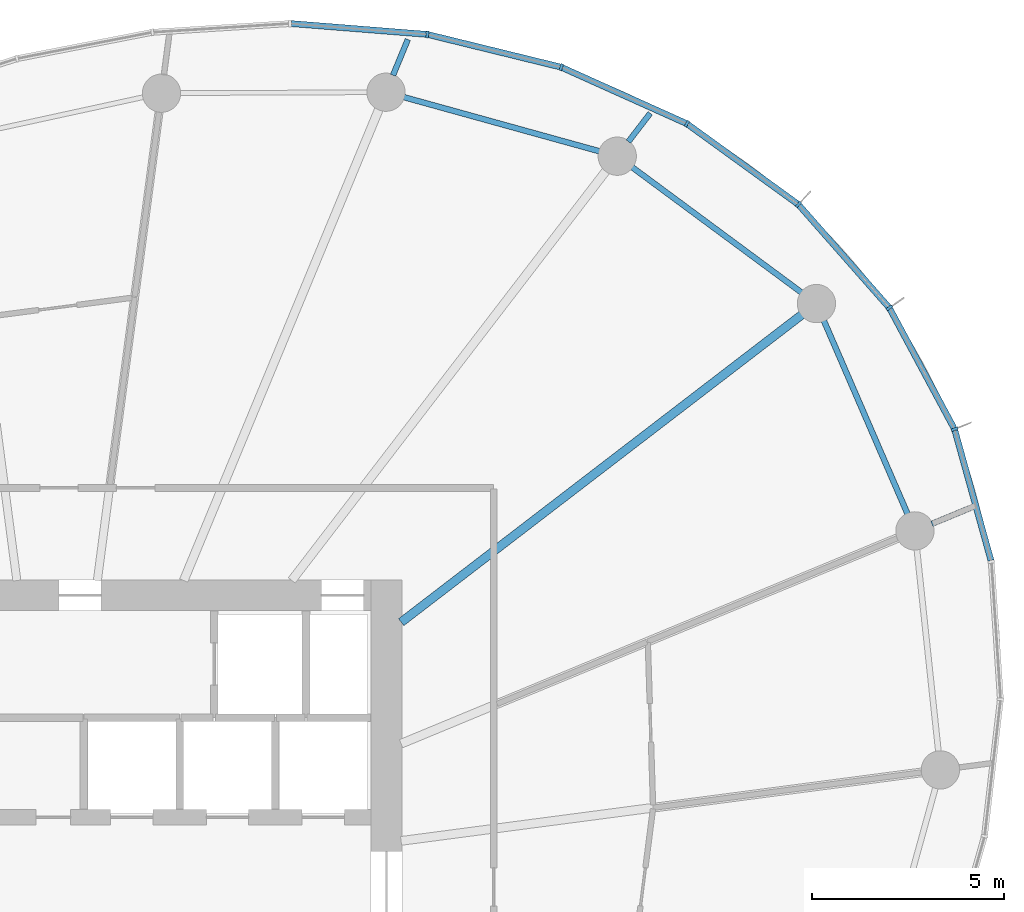
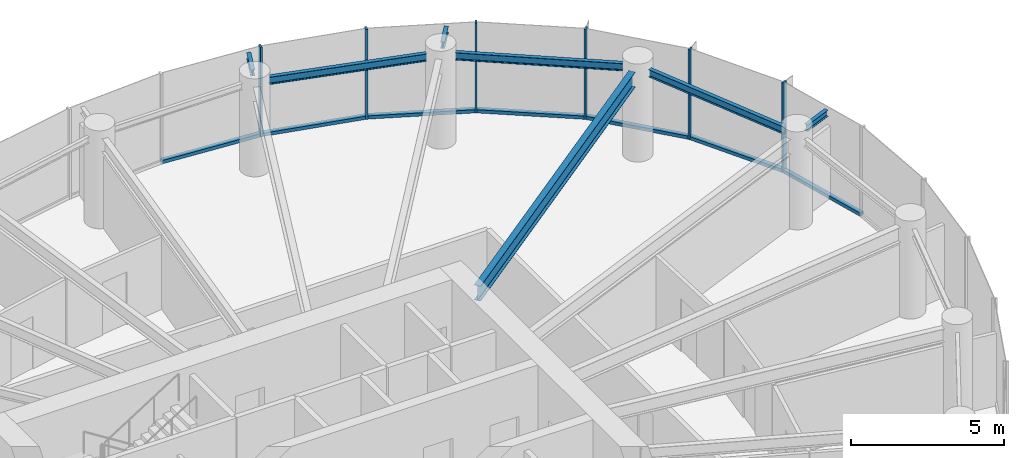
# One storey, part 6 of 14: 13 members, 7 beams, 2 elements without a shape of their own.
"""IFC4 building model written with IfcOpenShell, lengths in metres."""

import ifcopenshell
import ifcopenshell.guid

model = None  # the IFC model being written
_history = None  # IfcOwnerHistory: only IFC2X3 demands one
_inside = {}  # id of a spatial element -> (the spatial element, [elements in it])
_under = {}  # id of a project, library or spatial element -> (it, [spatial elements below it])
_declared = {}  # id of a project -> (the project, [libraries it declares])
_typed = {}  # id of a type object -> (the type object, [elements of that type])
_made_of = {}  # id of a material, layer set ... -> (it, [elements and type objects made of it])


def new_model(schema):
    """Start an empty IFC model of exactly this schema.

    Asked for "IFC4X3", IfcOpenShell would pick the latest addendum, in which some entities
    have other attributes; the version numbers below select the first issue.
    IFC2X3 requires an IfcOwnerHistory on every rooted entity: one is made here for all.
    """
    global model, _history
    if schema == "IFC4X3":
        model = ifcopenshell.file(schema_version=(4, 3, 0, 0))
    else:
        model = ifcopenshell.file(schema=schema)
    _inside.clear()
    _under.clear()
    _declared.clear()
    _typed.clear()
    _made_of.clear()
    _history = None
    if model.schema == "IFC2X3":
        org = make("IfcOrganization", Name="unknown")
        user = make(
            "IfcPersonAndOrganization",
            ThePerson=make("IfcPerson", FamilyName="unknown"),
            TheOrganization=org,
        )
        app = make(
            "IfcApplication",
            ApplicationDeveloper=org,
            Version="unknown",
            ApplicationFullName="unknown",
            ApplicationIdentifier="unknown",
        )
        _history = make(
            "IfcOwnerHistory",
            OwningUser=user,
            OwningApplication=app,
            ChangeAction="ADDED",
            CreationDate=0,
        )
    return model


def make(cls, **values):
    """One entity of the class cls with the attributes given. An attribute that is None is left unset."""
    return model.create_entity(
        cls, **{name: value for name, value in values.items() if value is not None}
    )


def rooted(cls, **values):
    """An entity with a GlobalId (a new one), such as an element, a storey or a relation."""
    return make(cls, GlobalId=ifcopenshell.guid.new(), OwnerHistory=_history, **values)


def si_unit(unit_type, name, prefix=None):
    """IfcSIUnit, for example si_unit("LENGTHUNIT", "METRE", prefix="MILLI")."""
    return make("IfcSIUnit", UnitType=unit_type, Prefix=prefix, Name=name)


def assignment(units):
    """IfcUnitAssignment: the units of a project."""
    return None if units is None else make("IfcUnitAssignment", Units=units)


def point(xyz):
    """IfcCartesianPoint."""
    return None if xyz is None else make("IfcCartesianPoint", Coordinates=xyz)


def direction(xyz):
    """IfcDirection."""
    return None if xyz is None else make("IfcDirection", DirectionRatios=xyz)


def frame(location, z_axis=None, x_axis=None):
    """IfcAxis2Placement3D, a coordinate frame: its origin and axes. An axis left out is left unset."""
    return make(
        "IfcAxis2Placement3D",
        Location=point(location),
        Axis=direction(z_axis),
        RefDirection=direction(x_axis),
    )


def frame_2d(location, x_axis=None):
    """IfcAxis2Placement2D, a coordinate frame in the plane: its origin and x axis."""
    return make(
        "IfcAxis2Placement2D", Location=point(location), RefDirection=direction(x_axis)
    )


def origin():
    """The frame at (0, 0, 0) with its axes left unset."""
    return frame((0.0, 0.0, 0.0))


def origin_2d():
    """The frame at (0, 0) in the plane with its x axis left unset."""
    return frame_2d((0.0, 0.0))


def place(relative_to, where):
    """IfcLocalPlacement: puts the frame where relative to a parent placement (None: the world)."""
    return make(
        "IfcLocalPlacement", PlacementRelTo=relative_to, RelativePlacement=where
    )


def context(
    kind, dimensions, precision=None, world=None, true_north=None, identifier=None
):
    """IfcGeometricRepresentationContext, for example the 3D "Model" context."""
    return make(
        "IfcGeometricRepresentationContext",
        ContextIdentifier=identifier,
        ContextType=kind,
        CoordinateSpaceDimension=dimensions,
        Precision=precision,
        WorldCoordinateSystem=world,
        TrueNorth=true_north,
    )


def subcontext(parent, identifier, kind, view, scale=None):
    """IfcGeometricRepresentationSubContext, for example "Body" below "Model"."""
    return make(
        "IfcGeometricRepresentationSubContext",
        ContextIdentifier=identifier,
        ContextType=kind,
        ParentContext=parent,
        TargetScale=scale,
        TargetView=view,
    )


def project(units=None, contexts=None):
    """IfcProject with its units and contexts."""
    return rooted(
        "IfcProject",
        Name="project",
        RepresentationContexts=contexts,
        UnitsInContext=assignment(units),
    )


def spatial(cls, under=None, at=None, **own):
    """A site, building, storey or space (cls), placed at a placement, below another one or the project."""
    s = rooted(cls, ObjectPlacement=at, **own)
    if under is not None:
        _under.setdefault(under.id(), (under, []))[1].append(s)
    return s


def profile(cls, at=None, kind="AREA", **sizes):
    """A parametric profile (cls). Its sizes go by their IFC names, for example OverallWidth=200.0."""
    return make(cls, ProfileType=kind, Position=at, **sizes)


def rectangle(**sizes):
    """IfcRectangleProfileDef."""
    return profile("IfcRectangleProfileDef", **sizes)


def i_section(**sizes):
    """IfcIShapeProfileDef."""
    return profile("IfcIShapeProfileDef", **sizes)


def extrude(swept, where, along, depth):
    """IfcExtrudedAreaSolid: the profile swept, set in the frame where, extruded along a direction by depth."""
    return make(
        "IfcExtrudedAreaSolid",
        SweptArea=swept,
        Position=where,
        ExtrudedDirection=direction(along),
        Depth=depth,
    )


def shape(context_of_items, identifier, shape_type, items):
    """IfcShapeRepresentation: the items that make up one representation, for example the "Body"."""
    return make(
        "IfcShapeRepresentation",
        ContextOfItems=context_of_items,
        RepresentationIdentifier=identifier,
        RepresentationType=shape_type,
        Items=items,
    )


def source(mapping_origin, context_of_items, identifier, shape_type, items):
    """IfcRepresentationMap: a shape defined once, which mapped items show again and again."""
    return make(
        "IfcRepresentationMap",
        MappingOrigin=mapping_origin,
        MappedRepresentation=shape(context_of_items, identifier, shape_type, items),
    )


def transform(
    local_origin,
    x_axis=None,
    y_axis=None,
    z_axis=None,
    scale=None,
    scale2=None,
    scale3=None,
    uniform=True,
):
    """IfcCartesianTransformationOperator3D, or its non-uniform kind. x_axis, y_axis, z_axis: its Axis1, 2, 3."""
    if uniform:
        return make(
            "IfcCartesianTransformationOperator3D",
            Axis1=direction(x_axis),
            Axis2=direction(y_axis),
            LocalOrigin=point(local_origin),
            Scale=scale,
            Axis3=direction(z_axis),
        )
    return make(
        "IfcCartesianTransformationOperator3DnonUniform",
        Axis1=direction(x_axis),
        Axis2=direction(y_axis),
        LocalOrigin=point(local_origin),
        Scale=scale,
        Axis3=direction(z_axis),
        Scale2=scale2,
        Scale3=scale3,
    )


def mapped(mapping_source, mapping_target):
    """IfcMappedItem: shows the shape of a source again, moved by a transform."""
    return make(
        "IfcMappedItem", MappingSource=mapping_source, MappingTarget=mapping_target
    )


def material(Name=None, Category=None):
    """IfcMaterial."""
    return make("IfcMaterial", Name=Name, Category=Category)


def layer(
    of_material, thickness, ventilated=None, Name=None, Category=None, Priority=None
):
    """IfcMaterialLayer: one layer of a wall or slab, of a material (None: an air gap)."""
    return make(
        "IfcMaterialLayer",
        Material=of_material,
        LayerThickness=thickness,
        IsVentilated=ventilated,
        Name=Name,
        Category=Category,
        Priority=Priority,
    )


def layer_set(layers, Name=None):
    """IfcMaterialLayerSet."""
    return make("IfcMaterialLayerSet", MaterialLayers=layers, LayerSetName=Name)


def material_profile(
    of_material, cross_section, Name=None, Category=None, Priority=None
):
    """IfcMaterialProfile: a cross section and its material."""
    return make(
        "IfcMaterialProfile",
        Name=Name,
        Material=of_material,
        Profile=cross_section,
        Priority=Priority,
        Category=Category,
    )


def profile_set(profiles, Name=None, composite=None):
    """IfcMaterialProfileSet."""
    return make(
        "IfcMaterialProfileSet",
        Name=Name,
        MaterialProfiles=profiles,
        CompositeProfile=composite,
    )


def made_of(thing, what):
    """Note that an element or type object is made of a material, layer set ...; save() writes the relation."""
    if what is not None:
        _made_of.setdefault(what.id(), (what, []))[1].append(thing)
    return thing


def type_object(cls, material=None, **own):
    """A type object (cls), such as IfcWallType, which elements share."""
    return made_of(rooted(cls, **own), material)


def element(
    cls,
    number,
    at=None,
    inside=None,
    cuts=None,
    type_object=None,
    material=None,
    context=None,
    identifier="Body",
    shape_type=None,
    held_by="IfcProductDefinitionShape",
    body=None,
    shapes=None,
    **own,
):
    """One element of the class cls, such as IfcWall. Its Tag is "e" and its number.

    at: its placement. inside: the storey or other place that contains it. cuts: it is an
    opening in that element (IfcRelVoidsElement). A single representation is given by context,
    identifier, shape_type and body (its items); several are given by shapes. held_by: the class
    of the entity that holds the representations. save() writes the other relations.
    """
    e = rooted(cls, Tag="e%d" % number, ObjectPlacement=at, **own)
    if body is not None:
        shapes = [shape(context, identifier, shape_type, body)]
    if shapes is not None:
        e.Representation = make(held_by, Representations=shapes)
    if inside is not None:
        _inside.setdefault(inside.id(), (inside, []))[1].append(e)
    if cuts is not None:
        rooted(
            "IfcRelVoidsElement", RelatingBuildingElement=cuts, RelatedOpeningElement=e
        )
    if type_object is not None:
        _typed.setdefault(type_object.id(), (type_object, []))[1].append(e)
    return made_of(e, material)


def aggregate(whole, parts):
    """IfcRelAggregates: a whole, such as a stair, and the parts it consists of."""
    return rooted("IfcRelAggregates", RelatingObject=whole, RelatedObjects=parts)


def save(model, path):
    """Write the relations noted so far, then the file.

    IfcRelAggregates (storeys below a building ...), IfcRelContainedInSpatialStructure (elements
    in a storey), IfcRelDefinesByType, IfcRelAssociatesMaterial and IfcRelDeclares: one each for
    every whole, place, type object, material and project.
    """
    for whole, parts in _under.values():
        aggregate(whole, parts)
    for where, things in _inside.values():
        rooted(
            "IfcRelContainedInSpatialStructure",
            RelatedElements=things,
            RelatingStructure=where,
        )
    for kind, things in _typed.values():
        rooted("IfcRelDefinesByType", RelatedObjects=things, RelatingType=kind)
    for what, things in _made_of.values():
        rooted("IfcRelAssociatesMaterial", RelatedObjects=things, RelatingMaterial=what)
    for by, libraries in _declared.values():
        rooted("IfcRelDeclares", RelatingContext=by, RelatedDefinitions=libraries)
    model.write(path)


model = new_model("IFC4")

# Units and contexts
model_context = context("Model", 3, precision=1e-05, world=origin(), true_north=direction((0.0, 1.0)))
body_context = subcontext(model_context, "Body", "Model", "MODEL_VIEW")
ifc_project = project(units=[si_unit("LENGTHUNIT", "METRE"), si_unit("AREAUNIT", "SQUARE_METRE"), si_unit("VOLUMEUNIT", "CUBIC_METRE"), si_unit("PLANEANGLEUNIT", "RADIAN"), si_unit("MASSUNIT", "GRAM", prefix="KILO")], contexts=[model_context])

# Site, building, storey
site_placement = place(None, origin())
site = spatial("IfcSite", under=ifc_project, at=site_placement, CompositionType="ELEMENT")
building_placement = place(site_placement, origin())
building = spatial("IfcBuilding", under=site, at=building_placement, Name="Spindrift Exchange Tower", CompositionType="ELEMENT")
storey_placement = place(building_placement, frame((0.0, 0.0, 160.39990234375)))
storey = spatial("IfcBuildingStorey", under=building, at=storey_placement, Name="L38", CompositionType="ELEMENT", Elevation=160.39990234375)

# Beams
ifc_material_1 = material(Name="Steel Grade 300", Category="steel")
ifc_material_profile_1 = material_profile(ifc_material_1, i_section(OverallWidth=0.14892578125, OverallDepth=0.298095703125, WebThickness=0.005615234375, FlangeThickness=0.008056640625, FilletRadius=0.012939453125, at=origin_2d()), Name="310UB32.0")
ifc_profile_set_1 = profile_set([ifc_material_profile_1], Name="Steel Grade 300")
beam_type_1 = type_object("IfcBeamType", Name="Edge Beam 310UB32.0 Steel Grade 300", PredefinedType="SPANDREL", material=ifc_profile_set_1)
shared_shape_1 = source(origin(), body_context, "Body", "SweptSolid", [
    extrude(i_section(OverallWidth=0.14892578125, OverallDepth=0.298095703125, WebThickness=0.005615234375, FlangeThickness=0.008056640625, FilletRadius=0.012939453125, at=origin_2d()), origin(), (0.0, 0.0, 1.0), 5.508544921875),
])
beam_1_placement = place(storey_placement, frame((74.205810546875, 57.717529296875, 3.43115234375), z_axis=(-0.397414644433, 0.917639144975, 0.0), x_axis=(-0.917639144975, -0.397414644433, 0.0)))
element("IfcBeam", 1, at=beam_1_placement, inside=storey, type_object=beam_type_1, Name="L38 edge beam E02", PredefinedType="SPANDREL", context=body_context, shape_type="MappedRepresentation", body=[
    mapped(shared_shape_1, transform((0.0, 0.0, 0.0), scale=1.0)),
])
shared_shape_2 = source(origin(), body_context, "Body", "SweptSolid", [
    extrude(i_section(OverallWidth=0.14892578125, OverallDepth=0.298095703125, WebThickness=0.005615234375, FlangeThickness=0.008056640625, FilletRadius=0.012939453125, at=origin_2d()), origin(), (0.0, 0.0, 1.0), 5.509033203125),
])
beam_2_placement = place(storey_placement, frame((71.43994140625, 63.498291015625, 3.43115234375), z_axis=(-0.803991901791, 0.594640245741, 0.0), x_axis=(-0.594640245741, -0.803991901791, 0.0)))
element("IfcBeam", 2, at=beam_2_placement, inside=storey, type_object=beam_type_1, Name="L38 edge beam E03", PredefinedType="SPANDREL", context=body_context, shape_type="MappedRepresentation", body=[
    mapped(shared_shape_2, transform((0.0, 0.0, 0.0), scale=1.0)),
])
shared_shape_3 = source(origin(), body_context, "Body", "SweptSolid", [
    extrude(i_section(OverallWidth=0.14892578125, OverallDepth=0.298095703125, WebThickness=0.005615234375, FlangeThickness=0.008056640625, FilletRadius=0.012939453125, at=origin_2d()), origin(), (0.0, 0.0, 1.0), 5.30517578125),
])
beam_3_placement = place(storey_placement, frame((66.162353515625, 67.1875, 3.43115234375), z_axis=(-0.963757513624, 0.26677978734, 0.0), x_axis=(-0.26677978734, -0.963757513624, 0.0)))
element("IfcBeam", 3, at=beam_3_placement, inside=storey, type_object=beam_type_1, Name="L38 edge beam E04", PredefinedType="SPANDREL", context=body_context, shape_type="MappedRepresentation", body=[
    mapped(shared_shape_3, transform((0.0, 0.0, 0.0), scale=1.0)),
])
ifc_material_profile_2 = material_profile(ifc_material_1, i_section(OverallWidth=0.22802734375, OverallDepth=0.60205078125, WebThickness=0.010498046875, FlangeThickness=0.014892578125, FilletRadius=0.013916015625, at=origin_2d()), Name="610UB101")
ifc_profile_set_2 = profile_set([ifc_material_profile_2], Name="Steel Grade 300")
beam_type_2 = type_object("IfcBeamType", Name="Floor Beam 610UB101 Steel Grade 300", PredefinedType="BEAM", material=ifc_profile_set_2)
shared_shape_4 = source(origin(), body_context, "Body", "SweptSolid", [
    extrude(i_section(OverallWidth=0.22802734375, OverallDepth=0.60205078125, WebThickness=0.010498046875, FlangeThickness=0.014892578125, FilletRadius=0.013916015625, at=origin_2d()), origin(), (0.0, 0.0, 1.0), 13.185546875),
])
beam_4_placement = place(storey_placement, frame((60.984130859375, 54.893798828125, 3.279052734375), z_axis=(0.793357156703, 0.608756455332, 0.0), x_axis=(-0.608756455332, 0.793357156703, 0.0)))
element("IfcBeam", 4, at=beam_4_placement, inside=storey, type_object=beam_type_2, Name="L38 radial beam R03A", PredefinedType="BEAM", context=body_context, shape_type="MappedRepresentation", body=[
    mapped(shared_shape_4, transform((0.0, 0.0, 0.0), scale=1.0)),
])
ifc_material_profile_3 = material_profile(ifc_material_1, i_section(OverallWidth=0.14599609375, OverallDepth=0.251953125, WebThickness=0.006103515625, FlangeThickness=0.008544921875, FilletRadius=0.011962890625, at=origin_2d()), Name="250UB31.4")
ifc_profile_set_3 = profile_set([ifc_material_profile_3], Name="Steel Grade 300")
beam_type_3 = type_object("IfcBeamType", Name="Cantilever Beam 250UB31.4 Steel Grade 300", PredefinedType="BEAM", material=ifc_profile_set_3)
shared_shape_5 = source(origin(), body_context, "Body", "SweptSolid", [
    extrude(i_section(OverallWidth=0.14599609375, OverallDepth=0.251953125, WebThickness=0.006103515625, FlangeThickness=0.008544921875, FilletRadius=0.011962890625, at=origin_2d()), origin(), (0.0, 0.0, 1.0), 1.095458984375),
])
beam_5_placement = place(storey_placement, frame((74.840087890625, 57.460693359375, 3.4541015625), z_axis=(0.923872851141, 0.382699562222, 0.0), x_axis=(-0.382699562222, 0.923872851141, 0.0)))
element("IfcBeam", 5, at=beam_5_placement, inside=storey, type_object=beam_type_3, Name="L38 cantilever beam R02T", PredefinedType="BEAM", context=body_context, shape_type="MappedRepresentation", body=[
    mapped(shared_shape_5, transform((0.0, 0.0, 0.0), scale=1.0)),
])
shared_shape_6 = source(origin(), body_context, "Body", "SweptSolid", [
    extrude(i_section(OverallWidth=0.14599609375, OverallDepth=0.251953125, WebThickness=0.006103515625, FlangeThickness=0.008544921875, FilletRadius=0.011962890625, at=origin_2d()), origin(), (0.0, 0.0, 1.0), 0.93408203125),
])
beam_6_placement = place(storey_placement, frame((66.9169921875, 67.440185546875, 3.4541015625), z_axis=(0.608788178912, 0.793332813652, 0.0), x_axis=(-0.793332813652, 0.608788178912, 0.0)))
element("IfcBeam", 6, at=beam_6_placement, inside=storey, type_object=beam_type_3, Name="L38 cantilever beam R04T", PredefinedType="BEAM", context=body_context, shape_type="MappedRepresentation", body=[
    mapped(shared_shape_6, transform((0.0, 0.0, 0.0), scale=1.0)),
])
shared_shape_7 = source(origin(), body_context, "Body", "SweptSolid", [
    extrude(i_section(OverallWidth=0.14599609375, OverallDepth=0.251953125, WebThickness=0.006103515625, FlangeThickness=0.008544921875, FilletRadius=0.011962890625, at=origin_2d()), origin(), (0.0, 0.0, 1.0), 1.010009765625),
])
beam_7_placement = place(storey_placement, frame((60.770751953125, 69.17431640625, 3.4541015625), z_axis=(0.38265779885, 0.923890149844, 0.0), x_axis=(-0.923890149844, 0.38265779885, 0.0)))
element("IfcBeam", 7, at=beam_7_placement, inside=storey, type_object=beam_type_3, Name="L38 cantilever beam R05T", PredefinedType="BEAM", context=body_context, shape_type="MappedRepresentation", body=[
    mapped(shared_shape_7, transform((0.0, 0.0, 0.0), scale=1.0)),
])

# Curtain wall, members
ifc_material_2 = material(Name="Fritted laminated glass with bronze frame", Category="glass")
ifc_layer = layer(ifc_material_2, 0.179931640625)
ifc_layer_set = layer_set([ifc_layer], Name="ZONE 3 BRONZE FRITTED WALL")
curtain_wall_type = type_object("IfcCurtainWallType", Name="ZONE 3 BRONZE FRITTED WALL", PredefinedType="NOTDEFINED", material=ifc_layer_set)
curtain_wall_1_placement = place(storey_placement, origin())
curtain_wall_1 = element("IfcCurtainWall", 8, at=curtain_wall_1_placement, inside=storey, type_object=curtain_wall_type, Name="L38 Zone 3 Bronze Fritted Wall run 1", PredefinedType="NOTDEFINED")
ifc_material_3 = material(Name="Bronze anodised aluminium", Category="aluminium")
ifc_material_profile_4 = material_profile(ifc_material_3, rectangle(XDim=0.070068359375, YDim=0.179931640625, at=origin_2d()), Name="ZONE 3 BRONZE FRITTED WALL MULLION 70X180")
ifc_profile_set_4 = profile_set([ifc_material_profile_4], Name="Bronze anodised aluminium")
member_type_1 = type_object("IfcMemberType", Name="ZONE 3 BRONZE FRITTED WALL MULLION 70X180", PredefinedType="MULLION", material=ifc_profile_set_4)
shared_shape_8 = source(origin(), body_context, "Body", "SweptSolid", [
    extrude(rectangle(XDim=0.070068359375, YDim=0.179931640625, at=origin_2d()), origin(), (0.0, 0.0, 1.0), 3.580078125),
])
member_1_placement = place(storey_placement, frame((73.730224609375, 63.10009765625, 0.0), z_axis=(0.0, 0.0, 1.0), x_axis=(-0.570626908797, 0.821209431848, 0.0)))
member_1 = element("IfcMember", 9, at=member_1_placement, type_object=member_type_1, Name="L38 mullion CW-3.1", PredefinedType="MULLION", context=body_context, shape_type="MappedRepresentation", body=[
    mapped(shared_shape_8, transform((0.0, 0.0, 0.0), scale=1.0)),
])
member_2_placement = place(storey_placement, frame((71.355224609375, 65.798583984375, 0.0), z_axis=(0.0, 0.0, 1.0), x_axis=(-0.73976391823, 0.672866513719, 0.0)))
member_2 = element("IfcMember", 10, at=member_2_placement, type_object=member_type_1, Name="L38 mullion CW-3.2", PredefinedType="MULLION", context=body_context, shape_type="MappedRepresentation", body=[
    mapped(shared_shape_8, transform((0.0, 0.0, 0.0), scale=1.0)),
])
member_3_placement = place(storey_placement, frame((68.443603515625, 67.908203125, 0.0), z_axis=(0.0, 0.0, 1.0), x_axis=(-0.86539549749, 0.501089446031, 0.0)))
member_3 = element("IfcMember", 11, at=member_3_placement, type_object=member_type_1, Name="L38 mullion CW-3.3", PredefinedType="MULLION", context=body_context, shape_type="MappedRepresentation", body=[
    mapped(shared_shape_8, transform((0.0, 0.0, 0.0), scale=1.0)),
])
member_4_placement = place(storey_placement, frame((65.163330078125, 69.3837890625, 0.0), z_axis=(0.0, 0.0, 1.0), x_axis=(-0.945554560129, 0.325463629027, 0.0)))
member_4 = element("IfcMember", 12, at=member_4_placement, type_object=member_type_1, Name="L38 mullion CW-3.4", PredefinedType="MULLION", context=body_context, shape_type="MappedRepresentation", body=[
    mapped(shared_shape_8, transform((0.0, 0.0, 0.0), scale=1.0)),
])
member_5_placement = place(storey_placement, frame((61.668701171875, 70.240234375, 0.0), z_axis=(0.0, 0.0, 1.0), x_axis=(-0.987248937341, 0.159183968162, 0.0)))
member_5 = element("IfcMember", 13, at=member_5_placement, type_object=member_type_1, Name="L38 mullion CW-3.5", PredefinedType="MULLION", context=body_context, shape_type="MappedRepresentation", body=[
    mapped(shared_shape_8, transform((0.0, 0.0, 0.0), scale=1.0)),
])

# Curtain wall, member
curtain_wall_2_placement = place(storey_placement, origin())
curtain_wall_2 = element("IfcCurtainWall", 14, at=curtain_wall_2_placement, inside=storey, type_object=curtain_wall_type, Name="L38 Zone 3 Bronze Fritted Wall run 7", PredefinedType="NOTDEFINED")
member_6_placement = place(storey_placement, frame((75.430908203125, 59.93310546875, 0.0), z_axis=(0.0, 0.0, 1.0), x_axis=(-0.372632011007, 0.927979193933, 0.0)))
member_6 = element("IfcMember", 15, at=member_6_placement, type_object=member_type_1, Name="L38 mullion CW-3.41", PredefinedType="MULLION", context=body_context, shape_type="MappedRepresentation", body=[
    mapped(shared_shape_8, transform((0.0, 0.0, 0.0), scale=1.0)),
])

# Member
ifc_material_profile_5 = material_profile(ifc_material_3, rectangle(XDim=0.159912109375, YDim=0.1298828125, at=origin_2d()), Name="ZONE 3 BRONZE FRITTED WALL TRANSOM 160X130")
ifc_profile_set_5 = profile_set([ifc_material_profile_5], Name="Bronze anodised aluminium")
member_type_2 = type_object("IfcMemberType", Name="ZONE 3 BRONZE FRITTED WALL TRANSOM 160X130", PredefinedType="USERDEFINED", material=ifc_profile_set_5)
shared_shape_9 = source(origin(), body_context, "Body", "SweptSolid", [
    extrude(rectangle(XDim=0.159912109375, YDim=0.1298828125, at=origin_2d()), origin(), (0.0, 0.0, 1.0), 3.524658203125),
])
member_7_placement = place(storey_placement, frame((73.70703125, 63.126220703125, 0.065185546875), z_axis=(-0.660649754627, 0.750694279791, 0.0), x_axis=(-0.750694279791, -0.660649754627, 0.0)))
member_7 = element("IfcMember", 16, at=member_7_placement, type_object=member_type_2, Name="L38 transom CW-3.1", ObjectType="TRANSOM", PredefinedType="USERDEFINED", context=body_context, shape_type="MappedRepresentation", body=[
    mapped(shared_shape_9, transform((0.0, 0.0, 0.0), scale=1.0)),
])

member_8_placement = place(storey_placement, frame((75.41455078125, 59.9638671875, 0.065185546875), z_axis=(-0.473149535638, 0.880982132013, 0.0), x_axis=(-0.880982132013, -0.473149535638, 0.0)))
member_8 = element("IfcMember", 17, at=member_8_placement, type_object=member_type_2, Name="L38 transom CW-3.41", ObjectType="TRANSOM", PredefinedType="USERDEFINED", context=body_context, shape_type="MappedRepresentation", body=[
    mapped(shared_shape_9, transform((0.0, 0.0, 0.0), scale=1.0)),
])

shared_shape_10 = source(origin(), body_context, "Body", "SweptSolid", [
    extrude(rectangle(XDim=0.159912109375, YDim=0.1298828125, at=origin_2d()), origin(), (0.0, 0.0, 1.0), 3.525390625),
])
member_9_placement = place(storey_placement, frame((76.383544921875, 56.502197265625, 0.065185546875), z_axis=(-0.26751528139, 0.963553617721, 0.0), x_axis=(-0.963553617721, -0.26751528139, 0.0)))
member_9 = element("IfcMember", 18, at=member_9_placement, type_object=member_type_2, Name="L38 transom CW-3.40", ObjectType="TRANSOM", PredefinedType="USERDEFINED", context=body_context, shape_type="MappedRepresentation", body=[
    mapped(shared_shape_10, transform((0.0, 0.0, 0.0), scale=1.0)),
])

aggregate(curtain_wall_2, [member_9, member_6, member_8])

shared_shape_11 = source(origin(), body_context, "Body", "SweptSolid", [
    extrude(rectangle(XDim=0.159912109375, YDim=0.1298828125, at=origin_2d()), origin(), (0.0, 0.0, 1.0), 3.528076171875),
])
member_10_placement = place(storey_placement, frame((65.12939453125, 69.39208984375, 0.065185546875), z_axis=(-0.97125553348, 0.238039258704, 0.0), x_axis=(-0.238039258704, -0.97125553348, 0.0)))
member_10 = element("IfcMember", 19, at=member_10_placement, type_object=member_type_2, Name="L38 transom CW-3.4", ObjectType="TRANSOM", PredefinedType="USERDEFINED", context=body_context, shape_type="MappedRepresentation", body=[
    mapped(shared_shape_11, transform((0.0, 0.0, 0.0), scale=1.0)),
])

shared_shape_12 = source(origin(), body_context, "Body", "SweptSolid", [
    extrude(rectangle(XDim=0.159912109375, YDim=0.1298828125, at=origin_2d()), origin(), (0.0, 0.0, 1.0), 3.529052734375),
])
member_11_placement = place(storey_placement, frame((61.6337890625, 70.242919921875, 0.065185546875), z_axis=(-0.99685256237, 0.07927779573, 0.0), x_axis=(-0.07927779573, -0.99685256237, 0.0)))
member_11 = element("IfcMember", 20, at=member_11_placement, type_object=member_type_2, Name="L38 transom CW-3.5", ObjectType="TRANSOM", PredefinedType="USERDEFINED", context=body_context, shape_type="MappedRepresentation", body=[
    mapped(shared_shape_12, transform((0.0, 0.0, 0.0), scale=1.0)),
])

shared_shape_13 = source(origin(), body_context, "Body", "SweptSolid", [
    extrude(rectangle(XDim=0.159912109375, YDim=0.1298828125, at=origin_2d()), origin(), (0.0, 0.0, 1.0), 3.52685546875),
])
member_12_placement = place(storey_placement, frame((68.411865234375, 67.922607421875, 0.065185546875), z_axis=(-0.911992727656, 0.410206368432, 0.0), x_axis=(-0.410206368432, -0.911992727656, 0.0)))
member_12 = element("IfcMember", 21, at=member_12_placement, type_object=member_type_2, Name="L38 transom CW-3.3", ObjectType="TRANSOM", PredefinedType="USERDEFINED", context=body_context, shape_type="MappedRepresentation", body=[
    mapped(shared_shape_13, transform((0.0, 0.0, 0.0), scale=1.0)),
])

shared_shape_14 = source(origin(), body_context, "Body", "SweptSolid", [
    extrude(rectangle(XDim=0.159912109375, YDim=0.1298828125, at=origin_2d()), origin(), (0.0, 0.0, 1.0), 3.525634765625),
])
member_13_placement = place(storey_placement, frame((71.326904296875, 65.819091796875, 0.065185546875), z_axis=(-0.809779882967, 0.586733790694, 0.0), x_axis=(-0.586733790694, -0.809779882967, 0.0)))
member_13 = element("IfcMember", 22, at=member_13_placement, type_object=member_type_2, Name="L38 transom CW-3.2", ObjectType="TRANSOM", PredefinedType="USERDEFINED", context=body_context, shape_type="MappedRepresentation", body=[
    mapped(shared_shape_14, transform((0.0, 0.0, 0.0), scale=1.0)),
])

aggregate(curtain_wall_1, [member_1, member_7, member_2, member_13, member_3, member_12, member_4, member_10, member_5, member_11])

save(model, "model.ifc")
